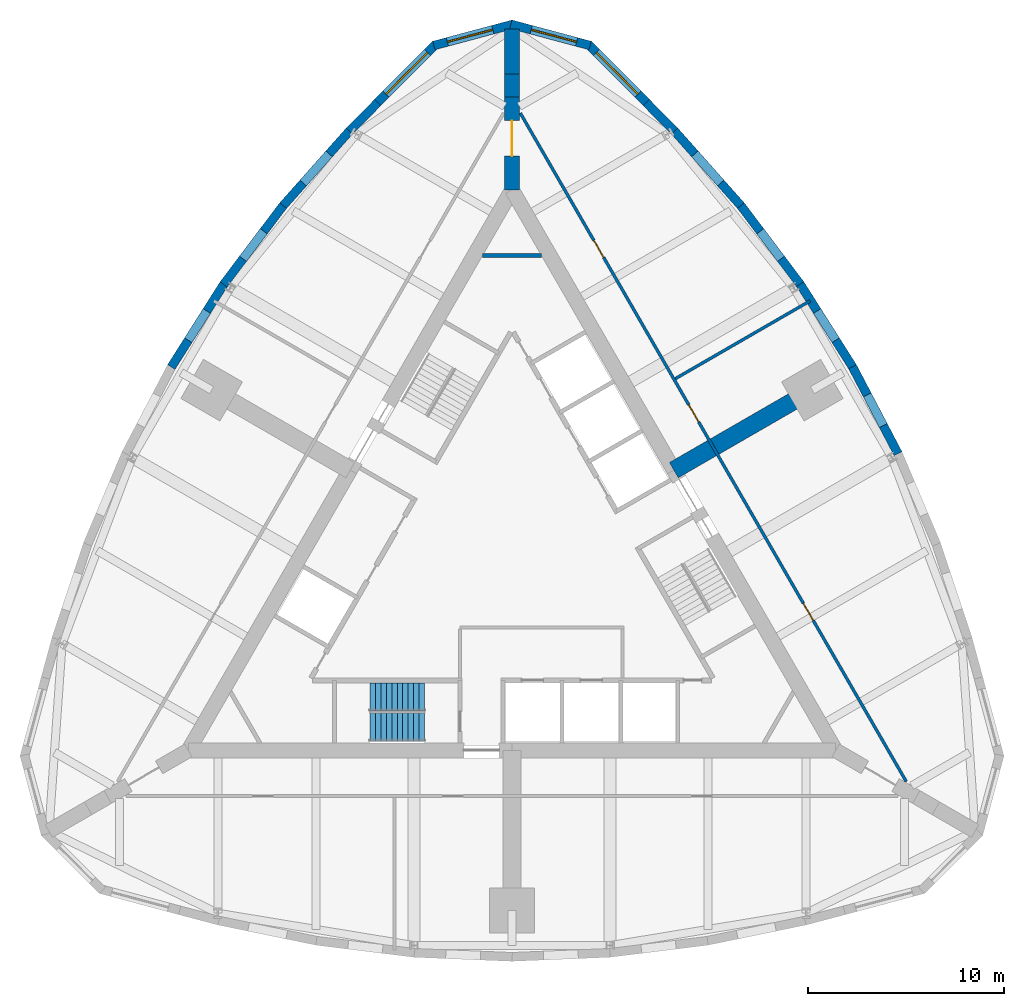
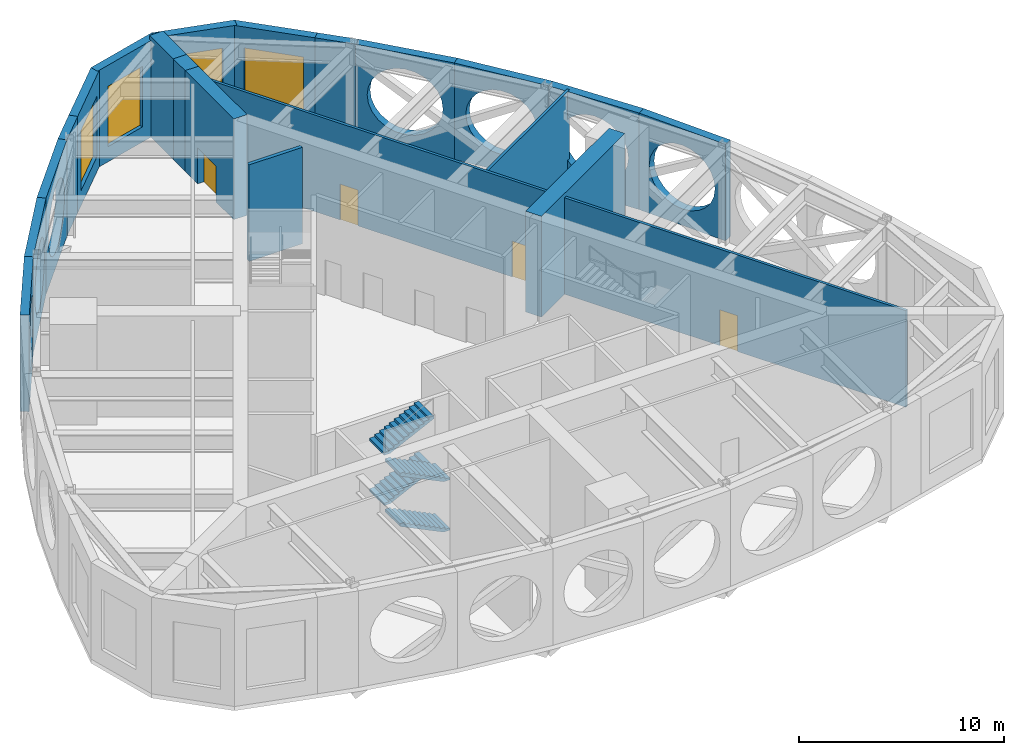
# One storey, part 5 of 7: 20 walls, 4 doors, 4 stair flights, 4 windows, 8 openings, 1 element without a shape of its own.
"""IFC4 building model written with IfcOpenShell, lengths in metres."""

from ifc_helpers import new_model, si_unit, direction, frame, frame_2d, origin, place, context, subcontext, project, spatial, polyline, rectangle, outline, extrude, material, layer, layer_set, type_object, element, fill, aggregate, save


model = new_model("IFC4")

# Units and contexts
model_context = context("Model", 3, precision=1e-05, world=origin(), true_north=direction((0.0, 1.0)))
body_context = subcontext(model_context, "Body", "Model", "MODEL_VIEW")
ifc_project = project(units=[si_unit("LENGTHUNIT", "METRE"), si_unit("AREAUNIT", "SQUARE_METRE"), si_unit("VOLUMEUNIT", "CUBIC_METRE"), si_unit("PLANEANGLEUNIT", "RADIAN"), si_unit("MASSUNIT", "GRAM", prefix="KILO")], contexts=[model_context])

# Site, building, storey
site_placement = place(None, origin())
site = spatial("IfcSite", under=ifc_project, at=site_placement, CompositionType="ELEMENT")
building_placement = place(site_placement, origin())
building = spatial("IfcBuilding", under=site, at=building_placement, Name="Trikona Tower", CompositionType="ELEMENT")
storey_placement = place(building_placement, frame((0.0, 0.0, 233.300048828125)))
storey = spatial("IfcBuildingStorey", under=building, at=storey_placement, Name="L62", CompositionType="ELEMENT", Elevation=233.300048828125)

# Wall, opening, window
ifc_material_1 = material(Name="Brick-faced precast concrete", Category="masonry")
ifc_layer_1 = layer(ifc_material_1, 0.449951171875)
ifc_layer_set_1 = layer_set([ifc_layer_1], Name="Brick-faced corner wall 450")
wall_type_1 = type_object("IfcWallType", Name="Brick-faced corner wall 450", PredefinedType="SOLIDWALL", material=ifc_layer_set_1)
wall_1_placement = place(storey_placement, frame((6.8408203125, 23.51220703125, 0.0), z_axis=(0.0, 0.0, 1.0), x_axis=(-0.707106781187, 0.707106781187, 0.0)))
wall_1 = element("IfcWall", 1, at=wall_1_placement, inside=storey, type_object=wall_type_1, Name="External wall L62-20", PredefinedType="SOLIDWALL", context=body_context, shape_type="SweptSolid", body=[
    extrude(rectangle(XDim=4.183837890625, YDim=0.449951171875, at=frame_2d((2.091796875, 0.0))), origin(), (0.0, 0.0, 1.0), 5.75),
])
opening_1_placement = place(wall_1_placement, frame((0.592041015625, 0.0, 0.89990234375)))
opening_1 = element("IfcOpeningElement", 2, at=opening_1_placement, cuts=wall_1, Name="Opening W3036", PredefinedType="OPENING", context=body_context, shape_type="SweptSolid", body=[
    extrude(rectangle(XDim=3.0, YDim=3.60009765625, at=frame_2d((1.5, 1.800048828125))), frame((0.0, 0.23486328125, 0.0), z_axis=(0.0, -1.0, 0.0), x_axis=(1.0, 0.0, 0.0)), (0.0, 0.0, 1.0), 0.469970703125),
])
ifc_material_2 = material(Name="Aluminium-framed double glazing", Category="aluminium")
window_type_1 = type_object("IfcWindowType", Name="Window 3000x3600", PartitioningType="SINGLE_PANEL", PredefinedType="WINDOW", material=ifc_material_2)
window_1_placement = place(opening_1_placement, origin())
window_1 = element("IfcWindow", 3, at=window_1_placement, inside=storey, type_object=window_type_1, Name="Window L62-BST", OverallHeight=3.60009765625, OverallWidth=3.0, PartitioningType="SINGLE_PANEL", PredefinedType="WINDOW", context=body_context, shape_type="SweptSolid", body=[
    extrude(rectangle(XDim=3.0, YDim=3.60009765625, at=frame_2d((1.5, 1.800048828125))), frame((0.0, 0.030029296875, 0.0), z_axis=(0.0, -1.0, 0.0), x_axis=(1.0, 0.0, 0.0)), (0.0, 0.0, 1.0), 0.06005859375),
])
fill(opening_1, window_1)

wall_2_placement = place(storey_placement, frame((3.9833984375, 26.41259765625, 0.0), z_axis=(0.0, 0.0, 1.0), x_axis=(-0.965920442324, 0.258839137498, 0.0)))
wall_2 = element("IfcWall", 4, at=wall_2_placement, inside=storey, type_object=wall_type_1, Name="External wall L62-21", PredefinedType="SOLIDWALL", context=body_context, shape_type="SweptSolid", body=[
    extrude(outline(polyline([(4.18408203125, 0.22509765625), (4.124267578125, 0.22509765625), (3.70556640625, 0.11279296875), (3.675537109375, 0.22509765625), (0.0, 0.22509765625), (0.0, -0.22509765625), (4.18408203125, -0.22509765625), (4.18408203125, 0.22509765625)])), origin(), (0.0, 0.0, 1.0), 5.75),
])
opening_2_placement = place(wall_2_placement, frame((0.712646484375, 0.0, 0.89990234375)))
opening_2 = element("IfcOpeningElement", 5, at=opening_2_placement, cuts=wall_2, Name="Opening W2436", PredefinedType="OPENING", context=body_context, shape_type="SweptSolid", body=[
    extrude(rectangle(XDim=2.39990234375, YDim=3.60009765625, at=frame_2d((1.199951171875, 1.800048828125))), frame((0.0, 0.23486328125, 0.0), z_axis=(0.0, -1.0, 0.0), x_axis=(1.0, 0.0, 0.0)), (0.0, 0.0, 1.0), 0.469970703125),
])
ifc_material_3 = material(Name="Aluminium-framed double glazing", Category="aluminium")
window_type_2 = type_object("IfcWindowType", Name="Window 2400x3600", PartitioningType="SINGLE_PANEL", PredefinedType="WINDOW", material=ifc_material_3)
window_2_placement = place(opening_2_placement, origin())
window_2 = element("IfcWindow", 6, at=window_2_placement, inside=storey, type_object=window_type_2, Name="Window L62-BST", OverallHeight=3.60009765625, OverallWidth=2.39990234375, PartitioningType="SINGLE_PANEL", PredefinedType="WINDOW", context=body_context, shape_type="SweptSolid", body=[
    extrude(rectangle(XDim=2.39990234375, YDim=3.60009765625, at=frame_2d((1.199951171875, 1.800048828125))), frame((0.0, 0.030029296875, 0.0), z_axis=(0.0, -1.0, 0.0), x_axis=(1.0, 0.0, 0.0)), (0.0, 0.0, 1.0), 0.06005859375),
])
fill(opening_2, window_2)

wall_3_placement = place(storey_placement, frame((0.05810546875, 27.49560546875, 0.0), z_axis=(0.0, 0.0, 1.0), x_axis=(-0.965920442324, -0.258839137498, 0.0)))
wall_3 = element("IfcWall", 7, at=wall_3_placement, inside=storey, type_object=wall_type_1, Name="External wall L62-22", PredefinedType="SOLIDWALL", context=body_context, shape_type="SweptSolid", body=[
    extrude(outline(polyline([(4.18408203125, 0.22509765625), (0.5087890625, 0.22509765625), (0.478515625, 0.11279296875), (0.059814453125, 0.22509765625), (0.0, 0.22509765625), (0.0, -0.22509765625), (4.18408203125, -0.22509765625), (4.18408203125, 0.22509765625)])), origin(), (0.0, 0.0, 1.0), 5.75),
])
opening_3_placement = place(wall_3_placement, frame((1.0712890625, 0.0, 0.89990234375)))
opening_3 = element("IfcOpeningElement", 8, at=opening_3_placement, cuts=wall_3, Name="Opening W2436", PredefinedType="OPENING", context=body_context, shape_type="SweptSolid", body=[
    extrude(rectangle(XDim=2.39990234375, YDim=3.60009765625, at=frame_2d((1.199951171875, 1.800048828125))), frame((0.0, 0.23486328125, 0.0), z_axis=(0.0, -1.0, 0.0), x_axis=(1.0, 0.0, 0.0)), (0.0, 0.0, 1.0), 0.469970703125),
])
window_3_placement = place(opening_3_placement, origin())
window_3 = element("IfcWindow", 9, at=window_3_placement, inside=storey, type_object=window_type_2, Name="Window L62-HXR", OverallHeight=3.60009765625, OverallWidth=2.39990234375, PartitioningType="SINGLE_PANEL", PredefinedType="WINDOW", context=body_context, shape_type="SweptSolid", body=[
    extrude(rectangle(XDim=2.39990234375, YDim=3.60009765625, at=frame_2d((1.199951171875, 1.800048828125))), frame((0.0, 0.030029296875, 0.0), z_axis=(0.0, -1.0, 0.0), x_axis=(1.0, 0.0, 0.0)), (0.0, 0.0, 1.0), 0.06005859375),
])
fill(opening_3, window_3)

wall_4_placement = place(storey_placement, frame((-3.88232421875, 26.470703125, 0.0), z_axis=(0.0, 0.0, 1.0), x_axis=(-0.707106781187, -0.707106781187, 0.0)))
wall_4 = element("IfcWall", 10, at=wall_4_placement, inside=storey, type_object=wall_type_1, Name="External wall L62-23", PredefinedType="SOLIDWALL", context=body_context, shape_type="SweptSolid", body=[
    extrude(rectangle(XDim=4.183837890625, YDim=0.449951171875, at=frame_2d((2.091796875, 0.0))), origin(), (0.0, 0.0, 1.0), 5.75),
])
opening_4_placement = place(wall_4_placement, frame((0.592041015625, 0.0, 0.89990234375)))
opening_4 = element("IfcOpeningElement", 11, at=opening_4_placement, cuts=wall_4, Name="Opening W3036", PredefinedType="OPENING", context=body_context, shape_type="SweptSolid", body=[
    extrude(rectangle(XDim=3.0, YDim=3.60009765625, at=frame_2d((1.5, 1.800048828125))), frame((0.0, 0.23486328125, 0.0), z_axis=(0.0, -1.0, 0.0), x_axis=(1.0, 0.0, 0.0)), (0.0, 0.0, 1.0), 0.469970703125),
])
window_4_placement = place(opening_4_placement, origin())
window_4 = element("IfcWindow", 12, at=window_4_placement, inside=storey, type_object=window_type_1, Name="Window L62-HXR", OverallHeight=3.60009765625, OverallWidth=3.0, PartitioningType="SINGLE_PANEL", PredefinedType="WINDOW", context=body_context, shape_type="SweptSolid", body=[
    extrude(rectangle(XDim=3.0, YDim=3.60009765625, at=frame_2d((1.5, 1.800048828125))), frame((0.0, 0.030029296875, 0.0), z_axis=(0.0, -1.0, 0.0), x_axis=(1.0, 0.0, 0.0)), (0.0, 0.0, 1.0), 0.06005859375),
])
fill(opening_4, window_4)

# Walls
ifc_material_4 = material(Name="Brick-faced precast concrete with louvred openings", Category="masonry")
ifc_layer_2 = layer(ifc_material_4, 0.449951171875)
ifc_layer_set_2 = layer_set([ifc_layer_2], Name="Brick-faced plant wall 450")
wall_type_2 = type_object("IfcWallType", Name="Brick-faced plant wall 450", PredefinedType="SOLIDWALL", material=ifc_layer_set_2)
wall_5_placement = place(storey_placement, frame((19.68359375, 5.6015625, 0.0), z_axis=(0.0, 0.0, 1.0), x_axis=(-0.463976002579, 0.885847768542, 0.0)))
element("IfcWall", 13, at=wall_5_placement, inside=storey, type_object=wall_type_2, Name="External wall L62-15", PredefinedType="SOLIDWALL", context=body_context, shape_type="SweptSolid", body=[
    extrude(outline(polyline([(0.0, 0.0), (5.004150390625, 0.0), (5.004150390625, 5.75), (0.0, 5.75), (0.0, 0.0)]), holes=[polyline([(4.402099609375, 2.875), (4.33740234375, 3.36669921875), (4.1474609375, 3.824951171875), (3.845703125, 4.218505859375), (3.4521484375, 4.520263671875), (2.993896484375, 4.710205078125), (2.502197265625, 4.77490234375), (2.01025390625, 4.710205078125), (1.552001953125, 4.520263671875), (1.15869140625, 4.218505859375), (0.856689453125, 3.824951171875), (0.666748046875, 3.36669921875), (0.60205078125, 2.875), (0.666748046875, 2.383056640625), (0.856689453125, 1.925048828125), (1.15869140625, 1.531494140625), (1.552001953125, 1.2294921875), (2.01025390625, 1.03955078125), (2.502197265625, 0.974853515625), (2.993896484375, 1.03955078125), (3.4521484375, 1.2294921875), (3.845703125, 1.531494140625), (4.1474609375, 1.925048828125), (4.33740234375, 2.383056640625), (4.402099609375, 2.875)])]), frame((0.0, 0.22509765625, 0.0), z_axis=(0.0, -1.0, 0.0), x_axis=(1.0, 0.0, 0.0)), (0.0, 0.0, 1.0), 0.449951171875),
])
wall_6_placement = place(storey_placement, frame((17.37109375, 10.0185546875, 0.0), z_axis=(0.0, 0.0, 1.0), x_axis=(-0.535242418236, 0.844698498709, 0.0)))
element("IfcWall", 14, at=wall_6_placement, inside=storey, type_object=wall_type_2, Name="External wall L62-16", PredefinedType="SOLIDWALL", context=body_context, shape_type="SweptSolid", body=[
    extrude(outline(polyline([(0.0, 0.0), (5.004150390625, 0.0), (5.004150390625, 5.75), (0.0, 5.75), (0.0, 0.0)]), holes=[polyline([(4.402099609375, 2.875), (4.33740234375, 3.36669921875), (4.147705078125, 3.824951171875), (3.845703125, 4.218505859375), (3.4521484375, 4.520263671875), (2.993896484375, 4.710205078125), (2.502197265625, 4.77490234375), (2.010498046875, 4.710205078125), (1.552001953125, 4.520263671875), (1.15869140625, 4.218505859375), (0.856689453125, 3.824951171875), (0.6669921875, 3.36669921875), (0.60205078125, 2.875), (0.6669921875, 2.383056640625), (0.856689453125, 1.925048828125), (1.15869140625, 1.531494140625), (1.552001953125, 1.2294921875), (2.010498046875, 1.03955078125), (2.502197265625, 0.974853515625), (2.993896484375, 1.03955078125), (3.4521484375, 1.2294921875), (3.845703125, 1.531494140625), (4.147705078125, 1.925048828125), (4.33740234375, 2.383056640625), (4.402099609375, 2.875)])]), frame((0.0, 0.22509765625, 0.0), z_axis=(0.0, -1.0, 0.0), x_axis=(1.0, 0.0, 0.0)), (0.0, 0.0, 1.0), 0.449951171875),
])
wall_7_placement = place(storey_placement, frame((14.703125, 14.230712890625, 0.0), z_axis=(0.0, 0.0, 1.0), x_axis=(-0.602408653511, 0.798187831388, 0.0)))
element("IfcWall", 15, at=wall_7_placement, inside=storey, type_object=wall_type_2, Name="External wall L62-17", PredefinedType="SOLIDWALL", context=body_context, shape_type="SweptSolid", body=[
    extrude(outline(polyline([(0.0, 0.0), (5.037841796875, 0.0), (5.037841796875, 5.75), (0.0, 5.75), (0.0, 0.0)]), holes=[polyline([(4.4189453125, 2.875), (4.354248046875, 3.36669921875), (4.164306640625, 3.824951171875), (3.862548828125, 4.218505859375), (3.468994140625, 4.520263671875), (3.0107421875, 4.710205078125), (2.51904296875, 4.77490234375), (2.027099609375, 4.710205078125), (1.569091796875, 4.520263671875), (1.175537109375, 4.218505859375), (0.87353515625, 3.824951171875), (0.68359375, 3.36669921875), (0.618896484375, 2.875), (0.68359375, 2.383056640625), (0.87353515625, 1.925048828125), (1.175537109375, 1.531494140625), (1.569091796875, 1.2294921875), (2.027099609375, 1.03955078125), (2.51904296875, 0.974853515625), (3.0107421875, 1.03955078125), (3.468994140625, 1.2294921875), (3.862548828125, 1.531494140625), (4.164306640625, 1.925048828125), (4.354248046875, 2.383056640625), (4.4189453125, 2.875)])]), frame((0.0, 0.22509765625, 0.0), z_axis=(0.0, -1.0, 0.0), x_axis=(1.0, 0.0, 0.0)), (0.0, 0.0, 1.0), 0.449951171875),
])
wall_8_placement = place(storey_placement, frame((11.6796875, 18.23779296875, 0.0), z_axis=(0.0, 0.0, 1.0), x_axis=(-0.664375712375, 0.747398764253, 0.0)))
element("IfcWall", 16, at=wall_8_placement, inside=storey, type_object=wall_type_2, Name="External wall L62-18", PredefinedType="SOLIDWALL", context=body_context, shape_type="SweptSolid", body=[
    extrude(outline(polyline([(0.0, 0.0), (5.10498046875, 0.0), (5.10498046875, 5.75), (0.0, 5.75), (0.0, 0.0)]), holes=[polyline([(4.50244140625, 2.875), (4.43603515625, 3.379638671875), (4.2412109375, 3.849853515625), (3.931396484375, 4.25390625), (3.52734375, 4.563720703125), (3.05712890625, 4.758544921875), (2.552490234375, 4.824951171875), (2.047607421875, 4.758544921875), (1.577392578125, 4.563720703125), (1.173583984375, 4.25390625), (0.86376953125, 3.849853515625), (0.6689453125, 3.379638671875), (0.602294921875, 2.875), (0.6689453125, 2.370361328125), (0.86376953125, 1.89990234375), (1.173583984375, 1.49609375), (1.577392578125, 1.186279296875), (2.047607421875, 0.991455078125), (2.552490234375, 0.925048828125), (3.05712890625, 0.991455078125), (3.52734375, 1.186279296875), (3.931396484375, 1.49609375), (4.2412109375, 1.89990234375), (4.43603515625, 2.370361328125), (4.50244140625, 2.875)])]), frame((0.0, 0.22509765625, 0.0), z_axis=(0.0, -1.0, 0.0), x_axis=(1.0, 0.0, 0.0)), (0.0, 0.0, 1.0), 0.449951171875),
])
for number, where, z_axis, x_axis, name in (
    (17, (8.296630859375, 22.04443359375, 0.0), (0.0, 0.0, 1.0), (-0.704208960141, 0.709992774933, 0.0), "External wall L62-19"),
    (18, (-6.840087890625, 23.512939453125, 0.0), (0.0, 0.0, 1.0), (-0.704208960141, -0.709992774933, 0.0), "External wall L62-24"),
):
    element("IfcWall", number, at=place(storey_placement, frame(where, z_axis=z_axis, x_axis=x_axis)), inside=storey, type_object=wall_type_2, Name=name, PredefinedType="SOLIDWALL", context=body_context, shape_type="SweptSolid", body=[
        extrude(rectangle(XDim=2.068359375, YDim=0.449951171875, at=frame_2d((1.0341796875, 0.0))), origin(), (0.0, 0.0, 1.0), 5.75),
    ])
wall_9_placement = place(storey_placement, frame((-8.2880859375, 22.05322265625, 0.0), z_axis=(0.0, 0.0, 1.0), x_axis=(-0.664375712375, -0.747398764253, 0.0)))
element("IfcWall", 19, at=wall_9_placement, inside=storey, type_object=wall_type_2, Name="External wall L62-25", PredefinedType="SOLIDWALL", context=body_context, shape_type="SweptSolid", body=[
    extrude(outline(polyline([(0.0, 0.0), (5.10498046875, 0.0), (5.10498046875, 5.75), (0.0, 5.75), (0.0, 0.0)]), holes=[polyline([(4.50244140625, 2.875), (4.43603515625, 3.379638671875), (4.2412109375, 3.849853515625), (3.931396484375, 4.25390625), (3.52734375, 4.563720703125), (3.05712890625, 4.758544921875), (2.552490234375, 4.824951171875), (2.047607421875, 4.758544921875), (1.577392578125, 4.563720703125), (1.173583984375, 4.25390625), (0.86376953125, 3.849853515625), (0.6689453125, 3.379638671875), (0.602294921875, 2.875), (0.6689453125, 2.370361328125), (0.86376953125, 1.89990234375), (1.173583984375, 1.49609375), (1.577392578125, 1.186279296875), (2.047607421875, 0.991455078125), (2.552490234375, 0.925048828125), (3.05712890625, 0.991455078125), (3.52734375, 1.186279296875), (3.931396484375, 1.49609375), (4.2412109375, 1.89990234375), (4.43603515625, 2.370361328125), (4.50244140625, 2.875)])]), frame((0.0, 0.22509765625, 0.0), z_axis=(0.0, -1.0, 0.0), x_axis=(1.0, 0.0, 0.0)), (0.0, 0.0, 1.0), 0.449951171875),
])
wall_10_placement = place(storey_placement, frame((-11.668212890625, 18.251953125, 0.0), z_axis=(0.0, 0.0, 1.0), x_axis=(-0.602408653511, -0.798187831388, 0.0)))
element("IfcWall", 20, at=wall_10_placement, inside=storey, type_object=wall_type_2, Name="External wall L62-26", PredefinedType="SOLIDWALL", context=body_context, shape_type="SweptSolid", body=[
    extrude(outline(polyline([(0.0, 0.0), (5.037841796875, 0.0), (5.037841796875, 5.75), (0.0, 5.75), (0.0, 0.0)]), holes=[polyline([(4.4189453125, 2.875), (4.354248046875, 3.36669921875), (4.164306640625, 3.824951171875), (3.862548828125, 4.218505859375), (3.468994140625, 4.520263671875), (3.0107421875, 4.710205078125), (2.51904296875, 4.77490234375), (2.027099609375, 4.710205078125), (1.569091796875, 4.520263671875), (1.175537109375, 4.218505859375), (0.87353515625, 3.824951171875), (0.68359375, 3.36669921875), (0.618896484375, 2.875), (0.68359375, 2.383056640625), (0.87353515625, 1.925048828125), (1.175537109375, 1.531494140625), (1.569091796875, 1.2294921875), (2.027099609375, 1.03955078125), (2.51904296875, 0.974853515625), (3.0107421875, 1.03955078125), (3.468994140625, 1.2294921875), (3.862548828125, 1.531494140625), (4.164306640625, 1.925048828125), (4.354248046875, 2.383056640625), (4.4189453125, 2.875)])]), frame((0.0, 0.22509765625, 0.0), z_axis=(0.0, -1.0, 0.0), x_axis=(1.0, 0.0, 0.0)), (0.0, 0.0, 1.0), 0.449951171875),
])
wall_11_placement = place(storey_placement, frame((-14.692626953125, 14.24560546875, 0.0), z_axis=(0.0, 0.0, 1.0), x_axis=(-0.535242418236, -0.844698498709, 0.0)))
element("IfcWall", 21, at=wall_11_placement, inside=storey, type_object=wall_type_2, Name="External wall L62-27", PredefinedType="SOLIDWALL", context=body_context, shape_type="SweptSolid", body=[
    extrude(outline(polyline([(0.0, 0.0), (5.004150390625, 0.0), (5.004150390625, 5.75), (0.0, 5.75), (0.0, 0.0)]), holes=[polyline([(4.402099609375, 2.875), (4.33740234375, 3.36669921875), (4.147705078125, 3.824951171875), (3.845703125, 4.218505859375), (3.4521484375, 4.520263671875), (2.993896484375, 4.710205078125), (2.502197265625, 4.77490234375), (2.010498046875, 4.710205078125), (1.552001953125, 4.520263671875), (1.15869140625, 4.218505859375), (0.856689453125, 3.824951171875), (0.6669921875, 3.36669921875), (0.60205078125, 2.875), (0.6669921875, 2.383056640625), (0.856689453125, 1.925048828125), (1.15869140625, 1.531494140625), (1.552001953125, 1.2294921875), (2.010498046875, 1.03955078125), (2.502197265625, 0.974853515625), (2.993896484375, 1.03955078125), (3.4521484375, 1.2294921875), (3.845703125, 1.531494140625), (4.147705078125, 1.925048828125), (4.33740234375, 2.383056640625), (4.402099609375, 2.875)])]), frame((0.0, 0.22509765625, 0.0), z_axis=(0.0, -1.0, 0.0), x_axis=(1.0, 0.0, 0.0)), (0.0, 0.0, 1.0), 0.449951171875),
])

# Wall, opening, door
ifc_material_5 = material(Name="Concrete f'c 10000 psi", Category="concrete")
ifc_layer_3 = layer(ifc_material_5, 0.75)
ifc_layer_set_3 = layer_set([ifc_layer_3], Name="Buttress wall 750")
wall_type_3 = type_object("IfcWallType", Name="Buttress wall 750", PredefinedType="SHEAR", material=ifc_layer_set_3)
wall_12_placement = place(storey_placement, frame((0.0, 19.052490234375, 0.0), z_axis=(0.0, 0.0, 1.0), x_axis=(0.0, 1.0, 0.0)))
wall_12 = element("IfcWall", 22, at=wall_12_placement, inside=storey, type_object=wall_type_3, Name="Buttress wall 2", PredefinedType="SHEAR", context=body_context, shape_type="SweptSolid", body=[
    extrude(rectangle(XDim=4.74609375, YDim=0.75, at=frame_2d((2.373046875, 0.0))), origin(), (0.0, 0.0, 1.0), 6.0),
])
opening_5_placement = place(wall_12_placement, frame((1.72509765625, 0.0, 0.0)))
opening_5 = element("IfcOpeningElement", 23, at=opening_5_placement, cuts=wall_12, Name="Opening D10", PredefinedType="OPENING", context=body_context, shape_type="SweptSolid", body=[
    extrude(rectangle(XDim=1.800048828125, YDim=2.1298828125, at=frame_2d((0.89990234375, 1.06494140625))), frame((0.0, 0.385009765625, 0.0), z_axis=(0.0, -1.0, 0.0), x_axis=(1.0, 0.0, 0.0)), (0.0, 0.0, 1.0), 0.77001953125),
])
ifc_material_6 = material(Name="Hollow metal door and frame", Category="steel")
door_type_1 = type_object("IfcDoorType", Name="Cross-corridor door pair 1800x2130", OperationType="DOUBLE_DOOR_DOUBLE_SWING", PredefinedType="DOOR", material=ifc_material_6)
door_1_placement = place(opening_5_placement, origin())
door_1 = element("IfcDoor", 24, at=door_1_placement, inside=storey, type_object=door_type_1, Name="Cross-corridor door 2", OperationType="DOUBLE_DOOR_DOUBLE_SWING", OverallHeight=2.1298828125, OverallWidth=1.800048828125, PredefinedType="DOOR", context=body_context, shape_type="SweptSolid", body=[
    extrude(rectangle(XDim=1.800048828125, YDim=2.1298828125, at=frame_2d((0.89990234375, 1.06494140625))), frame((0.0, 0.02490234375, 0.0), z_axis=(0.0, -1.0, 0.0), x_axis=(1.0, 0.0, 0.0)), (0.0, 0.0, 1.0), 0.050048828125),
])
fill(opening_5, door_1)

# Walls
wall_13_placement = place(storey_placement, frame((0.0, 23.798583984375, 0.0), z_axis=(0.0, 0.0, 1.0), x_axis=(0.0, 1.0, 0.0)))
element("IfcWall", 25, at=wall_13_placement, inside=storey, type_object=wall_type_3, Name="Buttress wall 2 part 2", PredefinedType="SHEAR", context=body_context, shape_type="SweptSolid", body=[
    extrude(rectangle(XDim=1.15478515625, YDim=0.75, at=frame_2d((0.577392578125, 0.0))), origin(), (0.0, 0.0, 1.0), 6.0),
])
wall_14_placement = place(storey_placement, frame((0.0, 24.953369140625, 0.0), z_axis=(0.0, 0.0, 1.0), x_axis=(0.0, 1.0, 0.0)))
element("IfcWall", 26, at=wall_14_placement, inside=storey, type_object=wall_type_3, Name="Buttress wall 2 part 3", PredefinedType="SHEAR", context=body_context, shape_type="SweptSolid", body=[
    extrude(rectangle(XDim=2.309326171875, YDim=0.75, at=frame_2d((1.15478515625, 0.0))), origin(), (0.0, 0.0, 1.0), 6.0),
])

# Wall, openings, doors
ifc_material_7 = material(Name="Metal stud and gypsum board, 1-hour", Category="gypsum")
ifc_layer_4 = layer(ifc_material_7, 0.14990234375)
ifc_layer_set_4 = layer_set([ifc_layer_4], Name="Corridor wall 150")
wall_type_4 = type_object("IfcWallType", Name="Corridor wall 150", PredefinedType="PARTITIONING", material=ifc_layer_set_4)
wall_15_placement = place(storey_placement, frame((20.10205078125, -11.115234375, 0.0), z_axis=(0.0, 0.0, 1.0), x_axis=(-0.500000265775, 0.866025250339, 0.0)))
wall_15 = element("IfcWall", 27, at=wall_15_placement, inside=storey, type_object=wall_type_4, Name="Corridor wall L62-2", PredefinedType="PARTITIONING", context=body_context, shape_type="SweptSolid", body=[
    extrude(rectangle(XDim=39.35400390625, YDim=0.14990234375, at=frame_2d((19.677001953125, 0.0))), origin(), (0.0, 0.0, 1.0), 5.75),
])
opening_6_placement = place(wall_15_placement, frame((9.488525390625, 0.0, 0.0)))
opening_6 = element("IfcOpeningElement", 28, at=opening_6_placement, cuts=wall_15, Name="Opening D3", PredefinedType="OPENING", context=body_context, shape_type="SweptSolid", body=[
    extrude(rectangle(XDim=1.0, YDim=2.1298828125, at=frame_2d((0.5, 1.06494140625))), frame((0.0, 0.0849609375, 0.0), z_axis=(0.0, -1.0, 0.0), x_axis=(1.0, 0.0, 0.0)), (0.0, 0.0, 1.0), 0.169921875),
])
opening_7_placement = place(wall_15_placement, frame((21.177001953125, 0.0, 0.0)))
opening_7 = element("IfcOpeningElement", 29, at=opening_7_placement, cuts=wall_15, Name="Opening D3", PredefinedType="OPENING", context=body_context, shape_type="SweptSolid", body=[
    extrude(rectangle(XDim=1.0, YDim=2.1298828125, at=frame_2d((0.5, 1.06494140625))), frame((0.0, 0.0849609375, 0.0), z_axis=(0.0, -1.0, 0.0), x_axis=(1.0, 0.0, 0.0)), (0.0, 0.0, 1.0), 0.169921875),
])
opening_8_placement = place(wall_15_placement, frame((30.865478515625, 0.0, 0.0)))
opening_8 = element("IfcOpeningElement", 30, at=opening_8_placement, cuts=wall_15, Name="Opening D3", PredefinedType="OPENING", context=body_context, shape_type="SweptSolid", body=[
    extrude(rectangle(XDim=1.0, YDim=2.1298828125, at=frame_2d((0.5, 1.06494140625))), frame((0.0, 0.0849609375, 0.0), z_axis=(0.0, -1.0, 0.0), x_axis=(1.0, 0.0, 0.0)), (0.0, 0.0, 1.0), 0.169921875),
])
ifc_material_8 = material(Name="Steel door frame with solid-core timber leaf", Category="steel")
door_type_2 = type_object("IfcDoorType", Name="Room door 1000x2130", OperationType="SINGLE_SWING_LEFT", PredefinedType="DOOR", material=ifc_material_8)
door_2_placement = place(opening_6_placement, origin())
door_2 = element("IfcDoor", 31, at=door_2_placement, inside=storey, type_object=door_type_2, Name="Door Fire water tank room", OperationType="SINGLE_SWING_LEFT", OverallHeight=2.1298828125, OverallWidth=1.0, PredefinedType="DOOR", context=body_context, shape_type="SweptSolid", body=[
    extrude(rectangle(XDim=1.0, YDim=2.1298828125, at=frame_2d((0.5, 1.06494140625))), frame((0.0, 0.02490234375, 0.0), z_axis=(0.0, -1.0, 0.0), x_axis=(1.0, 0.0, 0.0)), (0.0, 0.0, 1.0), 0.050048828125),
])
fill(opening_6, door_2)
door_3_placement = place(opening_7_placement, origin())
door_3 = element("IfcDoor", 32, at=door_3_placement, inside=storey, type_object=door_type_2, Name="Door Sprinkler valve plant room", OperationType="SINGLE_SWING_LEFT", OverallHeight=2.1298828125, OverallWidth=1.0, PredefinedType="DOOR", context=body_context, shape_type="SweptSolid", body=[
    extrude(rectangle(XDim=1.0, YDim=2.1298828125, at=frame_2d((0.5, 1.06494140625))), frame((0.0, 0.02490234375, 0.0), z_axis=(0.0, -1.0, 0.0), x_axis=(1.0, 0.0, 0.0)), (0.0, 0.0, 1.0), 0.050048828125),
])
fill(opening_7, door_3)
door_4_placement = place(opening_8_placement, origin())
door_4 = element("IfcDoor", 33, at=door_4_placement, inside=storey, type_object=door_type_2, Name="Door Booster pump plant room", OperationType="SINGLE_SWING_LEFT", OverallHeight=2.1298828125, OverallWidth=1.0, PredefinedType="DOOR", context=body_context, shape_type="SweptSolid", body=[
    extrude(rectangle(XDim=1.0, YDim=2.1298828125, at=frame_2d((0.5, 1.06494140625))), frame((0.0, 0.02490234375, 0.0), z_axis=(0.0, -1.0, 0.0), x_axis=(1.0, 0.0, 0.0)), (0.0, 0.0, 1.0), 0.050048828125),
])
fill(opening_8, door_4)

# Walls
ifc_material_9 = material(Name="Concrete f'c 10000 psi", Category="concrete")
ifc_layer_5 = layer(ifc_material_9, 0.89990234375)
ifc_layer_set_5 = layer_set([ifc_layer_5], Name="Outrigger wall 900")
wall_type_5 = type_object("IfcWallType", Name="Outrigger wall 900", PredefinedType="SHEAR", material=ifc_layer_set_5)
wall_16_placement = place(storey_placement, frame((8.25, 4.76318359375, 0.0), z_axis=(0.0, 0.0, 1.0), x_axis=(0.866023543838, 0.500003221507, 0.0)))
element("IfcWall", 34, at=wall_16_placement, inside=storey, type_object=wall_type_5, Name="Outrigger wall 2", PredefinedType="SHEAR", context=body_context, shape_type="SweptSolid", body=[
    extrude(rectangle(XDim=8.154296875, YDim=0.89990234375, at=frame_2d((4.0771484375, 0.0))), origin(), (0.0, 0.0, 1.0), 6.0),
])
ifc_material_10 = material(Name="Metal stud and gypsum board, 1-hour acoustic", Category="gypsum")
ifc_layer_6 = layer(ifc_material_10, 0.14990234375)
ifc_layer_set_6 = layer_set([ifc_layer_6], Name="Party wall 150")
wall_type_6 = type_object("IfcWallType", Name="Party wall 150", PredefinedType="PARTITIONING", material=ifc_layer_set_6)
wall_17_placement = place(storey_placement, frame((8.32861328125, 9.42724609375, 0.0), z_axis=(0.0, 0.0, 1.0), x_axis=(0.866027296944, 0.499996720937, 0.0)))
element("IfcWall", 35, at=wall_17_placement, inside=storey, type_object=wall_type_6, Name="Partition L62 F2 u4", PredefinedType="PARTITIONING", context=body_context, shape_type="SweptSolid", body=[
    extrude(rectangle(XDim=7.9365234375, YDim=0.14990234375, at=frame_2d((3.96826171875, 0.0))), origin(), (0.0, 0.0, 1.0), 5.75),
])
ifc_material_11 = material(Name="Concrete f'c 8000 psi", Category="concrete")
ifc_layer_7 = layer(ifc_material_11, 0.199951171875)
ifc_layer_set_7 = layer_set([ifc_layer_7], Name="Shaft wall 200")
wall_type_7 = type_object("IfcWallType", Name="Shaft wall 200", PredefinedType="SOLIDWALL", material=ifc_layer_set_7)
wall_18_placement = place(storey_placement, frame((-1.501220703125, 15.70263671875, 0.0), z_axis=(0.0, 0.0, 1.0), x_axis=(1.0, 0.0, 0.0)))
element("IfcWall", 36, at=wall_18_placement, inside=storey, type_object=wall_type_7, Name="Riser wall L62-RS2", PredefinedType="SOLIDWALL", context=body_context, shape_type="SweptSolid", body=[
    extrude(rectangle(XDim=3.00244140625, YDim=0.199951171875, at=frame_2d((1.501220703125, 0.0))), origin(), (0.0, 0.0, 1.0), 5.75),
])

# Stair, stair flights
ifc_material_12 = material(Name="Concrete f'c 5000 psi", Category="concrete")
stair_type = type_object("IfcStairType", Name="Core stair", PredefinedType="HALF_TURN_STAIR", material=ifc_material_12)
stair_placement = place(storey_placement, origin())
stair = element("IfcStair", 37, at=stair_placement, inside=storey, type_object=stair_type, Name="Stair A L62", PredefinedType="HALF_TURN_STAIR")
ifc_material_13 = material(Name="Concrete f'c 5000 psi", Category="concrete")
stair_flight_type = type_object("IfcStairFlightType", Name="Core stair flight 1450", PredefinedType="STRAIGHT", material=ifc_material_13)
stair_flight_1_placement = place(storey_placement, frame((-4.449951171875, -8.351318359375, 0.0), z_axis=(0.0, 0.0, 1.0), x_axis=(-1.0, 0.0, 0.0)))
stair_flight_1 = element("IfcStairFlight", 38, at=stair_flight_1_placement, type_object=stair_flight_type, Name="ST-A flight 1", NumberOfRisers=11, NumberOfTreads=10, PredefinedType="STRAIGHT", RiserHeight=0.136364, TreadLength=0.28, context=body_context, shape_type="SweptSolid", body=[
    extrude(outline(polyline([(0.0, 0.0), (0.0, 0.136474609375), (0.280029296875, 0.136474609375), (0.280029296875, 0.272705078125), (0.56005859375, 0.272705078125), (0.56005859375, 0.4091796875), (0.840087890625, 0.4091796875), (0.840087890625, 0.54541015625), (1.1201171875, 0.54541015625), (1.1201171875, 0.681884765625), (1.39990234375, 0.681884765625), (1.39990234375, 0.818115234375), (1.679931640625, 0.818115234375), (1.679931640625, 0.95458984375), (1.9599609375, 0.95458984375), (1.9599609375, 1.0908203125), (2.239990234375, 1.0908203125), (2.239990234375, 1.227294921875), (2.52001953125, 1.227294921875), (2.52001953125, 1.363525390625), (2.800048828125, 1.363525390625), (2.800048828125, 1.5), (2.800048828125, 1.197021484375), (0.34228515625, 0.0), (0.0, 0.0)])), frame((0.0, 0.72509765625, 0.0), z_axis=(0.0, -1.0, 0.0), x_axis=(1.0, 0.0, 0.0)), (0.0, 0.0, 1.0), 1.449951171875),
])
stair_flight_2_placement = place(storey_placement, frame((-7.25, -6.80126953125, 1.5), z_axis=(0.0, 0.0, 1.0), x_axis=(1.0, 0.0, 0.0)))
stair_flight_2 = element("IfcStairFlight", 39, at=stair_flight_2_placement, type_object=stair_flight_type, Name="ST-A flight 2", NumberOfRisers=11, NumberOfTreads=10, PredefinedType="STRAIGHT", RiserHeight=0.136364, TreadLength=0.28, context=body_context, shape_type="SweptSolid", body=[
    extrude(outline(polyline([(0.0, 0.0), (0.0, 0.136474609375), (0.280029296875, 0.136474609375), (0.280029296875, 0.272705078125), (0.56005859375, 0.272705078125), (0.56005859375, 0.4091796875), (0.840087890625, 0.4091796875), (0.840087890625, 0.54541015625), (1.1201171875, 0.54541015625), (1.1201171875, 0.681884765625), (1.39990234375, 0.681884765625), (1.39990234375, 0.818115234375), (1.679931640625, 0.818115234375), (1.679931640625, 0.95458984375), (1.9599609375, 0.95458984375), (1.9599609375, 1.0908203125), (2.239990234375, 1.0908203125), (2.239990234375, 1.227294921875), (2.52001953125, 1.227294921875), (2.52001953125, 1.363525390625), (2.800048828125, 1.363525390625), (2.800048828125, 1.5), (2.800048828125, 1.197021484375), (0.34228515625, 0.0), (0.0, 0.0)])), frame((0.0, 0.72509765625, 0.0), z_axis=(0.0, -1.0, 0.0), x_axis=(1.0, 0.0, 0.0)), (0.0, 0.0, 1.0), 1.449951171875),
])
stair_flight_3_placement = place(storey_placement, frame((-4.449951171875, -8.351318359375, 3.0), z_axis=(0.0, 0.0, 1.0), x_axis=(-1.0, 0.0, 0.0)))
stair_flight_3 = element("IfcStairFlight", 40, at=stair_flight_3_placement, type_object=stair_flight_type, Name="ST-A flight 3", NumberOfRisers=11, NumberOfTreads=10, PredefinedType="STRAIGHT", RiserHeight=0.136364, TreadLength=0.28, context=body_context, shape_type="SweptSolid", body=[
    extrude(outline(polyline([(0.0, 0.0), (0.0, 0.136474609375), (0.280029296875, 0.136474609375), (0.280029296875, 0.272705078125), (0.56005859375, 0.272705078125), (0.56005859375, 0.4091796875), (0.840087890625, 0.4091796875), (0.840087890625, 0.54541015625), (1.1201171875, 0.54541015625), (1.1201171875, 0.681884765625), (1.39990234375, 0.681884765625), (1.39990234375, 0.818115234375), (1.679931640625, 0.818115234375), (1.679931640625, 0.95458984375), (1.9599609375, 0.95458984375), (1.9599609375, 1.0908203125), (2.239990234375, 1.0908203125), (2.239990234375, 1.227294921875), (2.52001953125, 1.227294921875), (2.52001953125, 1.363525390625), (2.800048828125, 1.363525390625), (2.800048828125, 1.5), (2.800048828125, 1.197021484375), (0.34228515625, 0.0), (0.0, 0.0)])), frame((0.0, 0.72509765625, 0.0), z_axis=(0.0, -1.0, 0.0), x_axis=(1.0, 0.0, 0.0)), (0.0, 0.0, 1.0), 1.449951171875),
])
stair_flight_4_placement = place(storey_placement, frame((-7.25, -6.80126953125, 4.5), z_axis=(0.0, 0.0, 1.0), x_axis=(1.0, 0.0, 0.0)))
stair_flight_4 = element("IfcStairFlight", 41, at=stair_flight_4_placement, type_object=stair_flight_type, Name="ST-A flight 4", NumberOfRisers=11, NumberOfTreads=10, PredefinedType="STRAIGHT", RiserHeight=0.136364, TreadLength=0.28, context=body_context, shape_type="SweptSolid", body=[
    extrude(outline(polyline([(0.0, 0.0), (0.0, 0.136474609375), (0.280029296875, 0.136474609375), (0.280029296875, 0.272705078125), (0.56005859375, 0.272705078125), (0.56005859375, 0.4091796875), (0.840087890625, 0.4091796875), (0.840087890625, 0.54541015625), (1.1201171875, 0.54541015625), (1.1201171875, 0.681884765625), (1.39990234375, 0.681884765625), (1.39990234375, 0.818115234375), (1.679931640625, 0.818115234375), (1.679931640625, 0.95458984375), (1.9599609375, 0.95458984375), (1.9599609375, 1.0908203125), (2.239990234375, 1.0908203125), (2.239990234375, 1.227294921875), (2.52001953125, 1.227294921875), (2.52001953125, 1.363525390625), (2.800048828125, 1.363525390625), (2.800048828125, 1.5), (2.800048828125, 1.197021484375), (0.34228515625, 0.0), (0.0, 0.0)])), frame((0.0, 0.72509765625, 0.0), z_axis=(0.0, -1.0, 0.0), x_axis=(1.0, 0.0, 0.0)), (0.0, 0.0, 1.0), 1.449951171875),
])
aggregate(stair, [stair_flight_1, stair_flight_2, stair_flight_3, stair_flight_4])

save(model, "model.ifc")
